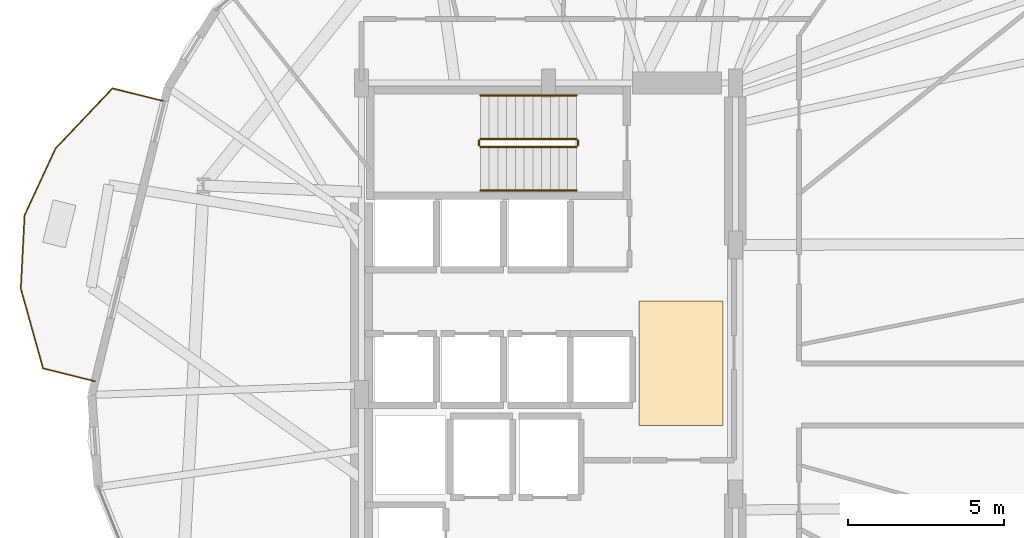
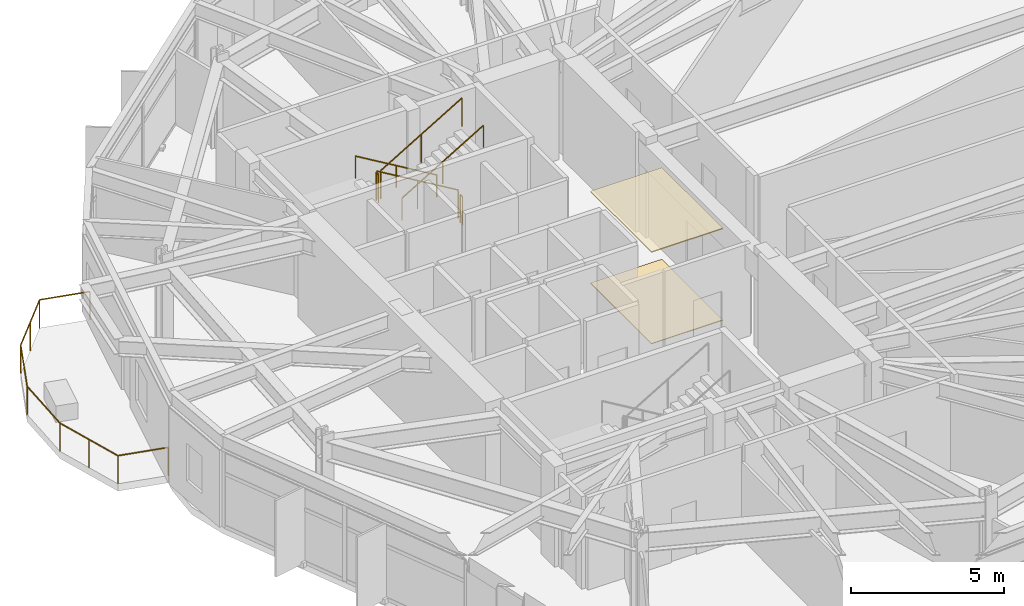
# One storey, part 21 of 22: 7 railings, 2 coverings.
"""IFC4 building model written with IfcOpenShell, lengths in metres."""

from ifc_helpers import new_model, si_unit, direction, frame, origin, origin_2d, place, context, subcontext, project, spatial, polyline, circle, outline, extrude, material, layer, layer_set, type_object, element, save


model = new_model("IFC4")

# Units and contexts
model_context = context("Model", 3, precision=1e-05, world=origin(), true_north=direction((0.0, 1.0)))
body_context = subcontext(model_context, "Body", "Model", "MODEL_VIEW")
ifc_project = project(units=[si_unit("LENGTHUNIT", "METRE"), si_unit("AREAUNIT", "SQUARE_METRE"), si_unit("VOLUMEUNIT", "CUBIC_METRE"), si_unit("PLANEANGLEUNIT", "RADIAN"), si_unit("MASSUNIT", "GRAM", prefix="KILO")], contexts=[model_context])

# Site, building, storey
site_placement = place(None, origin())
site = spatial("IfcSite", under=ifc_project, at=site_placement, CompositionType="ELEMENT")
building_placement = place(site_placement, origin())
building = spatial("IfcBuilding", under=site, at=building_placement, Name="Soratama Intermodal Tower", CompositionType="ELEMENT")
storey_placement = place(building_placement, frame((0.0, 0.0, 42.60009765625)))
storey = spatial("IfcBuildingStorey", under=building, at=storey_placement, Name="L09", CompositionType="ELEMENT", Elevation=42.60009765625)

# Coverings
ifc_material_1 = material(Name="Perforated mineral acoustic ceiling", Category="concrete")
ifc_layer_1 = layer(ifc_material_1, 0.0400390625)
ifc_layer_set_1 = layer_set([ifc_layer_1], Name="Perforated mineral acoustic ceiling")
covering_type_1 = type_object("IfcCoveringType", Name="CV-CEIL-ACOUSTIC", PredefinedType="CEILING", material=ifc_layer_set_1)
covering_1_placement = place(storey_placement, frame((0.0, 0.0, 3.659912109375)))
element("IfcCovering", 1, at=covering_1_placement, inside=storey, type_object=covering_type_1, Name="L09 Acoustic Ceiling", PredefinedType="CEILING", context=body_context, shape_type="SweptSolid", body=[
    extrude(outline(polyline([(41.5, 24.0), (44.199951171875, 24.0), (44.199951171875, 28.0), (41.5, 28.0), (41.5, 24.0)])), origin(), (0.0, 0.0, 1.0), 0.0400390625),
])
ifc_material_2 = material(Name="Polished Andean stone terrazzo flooring", Category="masonry")
ifc_layer_2 = layer(ifc_material_2, 0.030029296875)
ifc_layer_set_2 = layer_set([ifc_layer_2], Name="Polished Andean stone terrazzo flooring")
covering_type_2 = type_object("IfcCoveringType", Name="CV-FLOR-TERRAZZO", PredefinedType="FLOORING", material=ifc_layer_set_2)
covering_2_placement = place(storey_placement, origin())
element("IfcCovering", 2, at=covering_2_placement, inside=storey, type_object=covering_type_2, Name="L09 Lobby Terrazzo Flooring", PredefinedType="FLOORING", context=body_context, shape_type="SweptSolid", body=[
    extrude(outline(polyline([(41.5, 24.0), (44.199951171875, 24.0), (44.199951171875, 28.0), (41.5, 28.0), (41.5, 24.0)])), origin(), (0.0, 0.0, 1.0), 0.02978515625),
])

# Railings
ifc_material_3 = material(Name="Laminated glass and stainless steel balustrade", Category="steel")
railing_type_1 = type_object("IfcRailingType", Name="RL-BAL-1150", PredefinedType="BALUSTRADE", material=ifc_material_3)
railing_1_placement = place(storey_placement, frame((24.043212890625, 25.42138671875, 0.0)))
element("IfcRailing", 3, at=railing_1_placement, inside=storey, type_object=railing_type_1, Name="L09 Balcony Balustrade 3", PredefinedType="BALUSTRADE", context=body_context, shape_type="SweptSolid", body=[
    extrude(circle(Radius=0.02392578125, at=origin_2d()), frame((0.0, 0.0, 1.1259765625), z_axis=(-0.970624851547, 0.240597999908, 0.0), x_axis=(-0.240597999908, -0.970624851547, 0.0)), (0.0, 0.0, 1.0), 1.719970703125),
    extrude(circle(Radius=0.02392578125, at=origin_2d()), frame((-1.66943359375, 0.413818359375, 1.1259765625), z_axis=(-0.268694066161, 0.963225570056, 0.0), x_axis=(-0.963225570056, -0.268694066161, 0.0)), (0.0, 0.0, 1.0), 2.661376953125),
    extrude(circle(Radius=0.02392578125, at=origin_2d()), frame((-2.384521484375, 2.977294921875, 1.1259765625), z_axis=(0.051325898962, 0.99868195743, 0.0), x_axis=(-0.99868195743, 0.051325898962, 0.0)), (0.0, 0.0, 1.0), 2.359375),
    extrude(circle(Radius=0.02392578125, at=origin_2d()), frame((-2.263427734375, 5.33349609375, 1.1259765625), z_axis=(0.420907617062, 0.907103510025, 0.0), x_axis=(-0.907103510025, 0.420907617062, 0.0)), (0.0, 0.0, 1.0), 2.359619140625),
    extrude(circle(Radius=0.02392578125, at=origin_2d()), frame((-1.270263671875, 7.473876953125, 1.1259765625), z_axis=(0.687487637644, 0.726196081018, 0.0), x_axis=(-0.726196081018, 0.687487637644, 0.0)), (0.0, 0.0, 1.0), 2.66162109375),
    extrude(circle(Radius=0.02392578125, at=origin_2d()), frame((0.5595703125, 9.40673828125, 1.1259765625), z_axis=(0.970624851547, -0.240597999908, 0.0), x_axis=(0.240597999908, 0.970624851547, 0.0)), (0.0, 0.0, 1.0), 1.719970703125),
    extrude(circle(Radius=0.02099609375, at=origin_2d()), origin(), (0.0, 0.0, 1.0), 1.101806640625),
    extrude(circle(Radius=0.02099609375, at=origin_2d()), frame((-1.66943359375, 0.413818359375, 0.0)), (0.0, 0.0, 1.0), 1.101806640625),
    extrude(circle(Radius=0.02099609375, at=origin_2d()), frame((-2.02685546875, 1.695556640625, 0.0)), (0.0, 0.0, 1.0), 1.101806640625),
    extrude(circle(Radius=0.02099609375, at=origin_2d()), frame((-2.384521484375, 2.977294921875, 0.0)), (0.0, 0.0, 1.0), 1.101806640625),
    extrude(circle(Radius=0.02099609375, at=origin_2d()), frame((-2.263427734375, 5.33349609375, 0.0)), (0.0, 0.0, 1.0), 1.101806640625),
    extrude(circle(Radius=0.02099609375, at=origin_2d()), frame((-1.270263671875, 7.473876953125, 0.0)), (0.0, 0.0, 1.0), 1.101806640625),
    extrude(circle(Radius=0.02099609375, at=origin_2d()), frame((-0.35546875, 8.4404296875, 0.0)), (0.0, 0.0, 1.0), 1.101806640625),
    extrude(circle(Radius=0.02099609375, at=origin_2d()), frame((0.5595703125, 9.40673828125, 0.0)), (0.0, 0.0, 1.0), 1.101806640625),
    extrude(circle(Radius=0.02099609375, at=origin_2d()), frame((2.22900390625, 8.992919921875, 0.0)), (0.0, 0.0, 1.0), 1.101806640625),
])
ifc_material_4 = material(Name="Painted steel stair guardrail", Category="steel")
railing_type_2 = type_object("IfcRailingType", Name="RL-STAIR-GUARD", PredefinedType="GUARDRAIL", material=ifc_material_4)
railing_2_placement = place(storey_placement, frame((39.5, 33.199951171875, 0.16650390625)))
element("IfcRailing", 4, at=railing_2_placement, inside=storey, type_object=railing_type_2, Name="L09 ST-2 stair guard 1", PredefinedType="GUARDRAIL", context=body_context, shape_type="SweptSolid", body=[
    extrude(circle(Radius=0.02392578125, at=origin_2d()), frame((0.0, 0.0, 1.1259765625), z_axis=(-0.85927862911, 0.0, 0.511507807912), x_axis=(0.0, -1.0, 0.0)), (0.0, 0.0, 1.0), 3.58447265625),
    extrude(circle(Radius=0.02099609375, at=origin_2d()), origin(), (0.0, 0.0, 1.0), 1.101806640625),
    extrude(circle(Radius=0.02099609375, at=origin_2d()), frame((-1.5400390625, 0.0, 0.916748046875)), (0.0, 0.0, 1.0), 1.101806640625),
    extrude(circle(Radius=0.02099609375, at=origin_2d()), frame((-3.080078125, 0.0, 1.83349609375)), (0.0, 0.0, 1.0), 1.101806640625),
])
railing_3_placement = place(storey_placement, frame((36.3701171875, 33.14990234375, 2.0)))
element("IfcRailing", 5, at=railing_3_placement, inside=storey, type_object=railing_type_2, Name="L09 ST-2 stair guard 2", PredefinedType="GUARDRAIL", context=body_context, shape_type="SweptSolid", body=[
    extrude(circle(Radius=0.02392578125, at=origin_2d()), frame((0.0, 0.0, 1.1259765625), z_axis=(0.0, -1.0, 0.0), x_axis=(1.0, 0.0, 0.0)), (0.0, 0.0, 1.0), 0.14990234375),
    extrude(circle(Radius=0.02099609375, at=origin_2d()), origin(), (0.0, 0.0, 1.0), 1.101806640625),
    extrude(circle(Radius=0.02099609375, at=origin_2d()), frame((0.0, -0.14990234375, 0.0)), (0.0, 0.0, 1.0), 1.101806640625),
])
railing_4_placement = place(storey_placement, frame((36.419921875, 32.949951171875, 2.16650390625)))
element("IfcRailing", 6, at=railing_4_placement, inside=storey, type_object=railing_type_2, Name="L09 ST-2 stair guard 3", PredefinedType="GUARDRAIL", context=body_context, shape_type="SweptSolid", body=[
    extrude(circle(Radius=0.02392578125, at=origin_2d()), frame((0.0, 0.0, 1.1259765625), z_axis=(0.85927862911, 0.0, 0.511507807912), x_axis=(0.0, 1.0, 0.0)), (0.0, 0.0, 1.0), 3.58447265625),
    extrude(circle(Radius=0.02099609375, at=origin_2d()), origin(), (0.0, 0.0, 1.0), 1.101806640625),
    extrude(circle(Radius=0.02099609375, at=origin_2d()), frame((1.5400390625, 0.0, 0.916748046875)), (0.0, 0.0, 1.0), 1.101806640625),
    extrude(circle(Radius=0.02099609375, at=origin_2d()), frame((3.080078125, 0.0, 1.83349609375)), (0.0, 0.0, 1.0), 1.101806640625),
])
railing_5_placement = place(storey_placement, frame((39.550048828125, 33.14990234375, 0.0)))
element("IfcRailing", 7, at=railing_5_placement, inside=storey, type_object=railing_type_2, Name="L09 ST-2 stair guard 4", PredefinedType="GUARDRAIL", context=body_context, shape_type="SweptSolid", body=[
    extrude(circle(Radius=0.02392578125, at=origin_2d()), frame((0.0, 0.0, 1.1259765625), z_axis=(0.0, -1.0, 0.0), x_axis=(1.0, 0.0, 0.0)), (0.0, 0.0, 1.0), 0.14990234375),
    extrude(circle(Radius=0.02099609375, at=origin_2d()), origin(), (0.0, 0.0, 1.0), 1.101806640625),
    extrude(circle(Radius=0.02099609375, at=origin_2d()), frame((0.0, -0.14990234375, 0.0)), (0.0, 0.0, 1.0), 1.101806640625),
])
ifc_material_5 = material(Name="Brushed stainless steel handrail", Category="steel")
railing_type_3 = type_object("IfcRailingType", Name="RL-STAIR-HAND", PredefinedType="HANDRAIL", material=ifc_material_5)
railing_6_placement = place(storey_placement, frame((39.5, 34.60009765625, 0.16650390625)))
element("IfcRailing", 8, at=railing_6_placement, inside=storey, type_object=railing_type_3, Name="L09 ST-2 stair handrail 1", PredefinedType="HANDRAIL", context=body_context, shape_type="SweptSolid", body=[
    extrude(circle(Radius=0.02392578125, at=origin_2d()), frame((0.0, 0.0, 0.8759765625), z_axis=(-0.85927862911, 0.0, 0.511507807912), x_axis=(0.0, -1.0, 0.0)), (0.0, 0.0, 1.0), 3.58447265625),
    extrude(circle(Radius=0.02099609375, at=origin_2d()), origin(), (0.0, 0.0, 1.0), 0.851806640625),
    extrude(circle(Radius=0.02099609375, at=origin_2d()), frame((-1.5400390625, 0.0, 0.916748046875)), (0.0, 0.0, 1.0), 0.851806640625),
    extrude(circle(Radius=0.02099609375, at=origin_2d()), frame((-3.080078125, 0.0, 1.83349609375)), (0.0, 0.0, 1.0), 0.851806640625),
])
railing_7_placement = place(storey_placement, frame((36.419921875, 31.550048828125, 2.16650390625)))
element("IfcRailing", 9, at=railing_7_placement, inside=storey, type_object=railing_type_3, Name="L09 ST-2 stair handrail 2", PredefinedType="HANDRAIL", context=body_context, shape_type="SweptSolid", body=[
    extrude(circle(Radius=0.02392578125, at=origin_2d()), frame((0.0, 0.0, 0.8759765625), z_axis=(0.85927862911, 0.0, 0.511507807912), x_axis=(0.0, 1.0, 0.0)), (0.0, 0.0, 1.0), 3.58447265625),
    extrude(circle(Radius=0.02099609375, at=origin_2d()), origin(), (0.0, 0.0, 1.0), 0.851806640625),
    extrude(circle(Radius=0.02099609375, at=origin_2d()), frame((1.5400390625, 0.0, 0.916748046875)), (0.0, 0.0, 1.0), 0.851806640625),
    extrude(circle(Radius=0.02099609375, at=origin_2d()), frame((3.080078125, 0.0, 1.83349609375)), (0.0, 0.0, 1.0), 0.851806640625),
])

save(model, "model.ifc")
